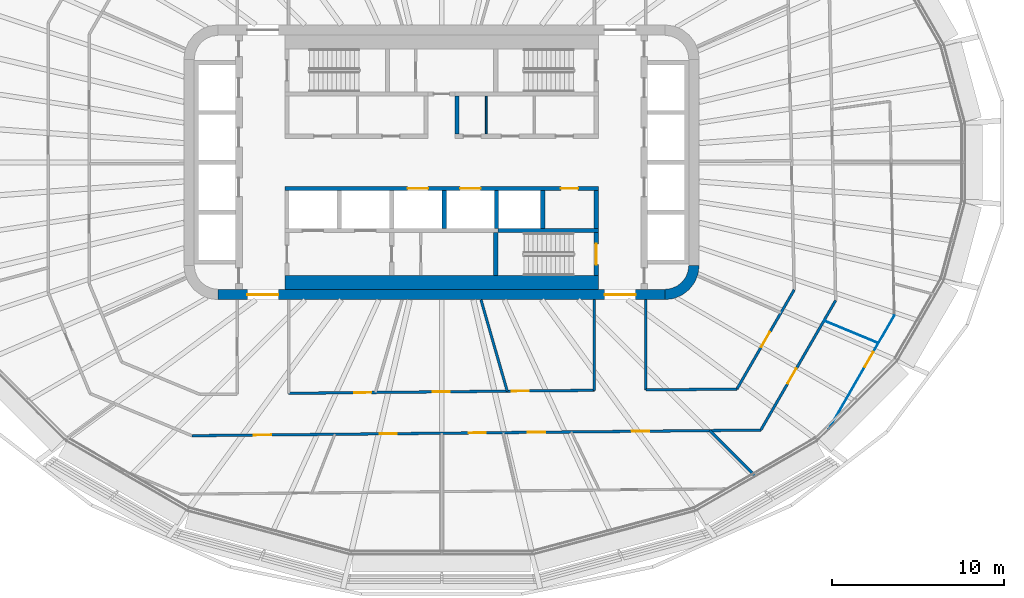
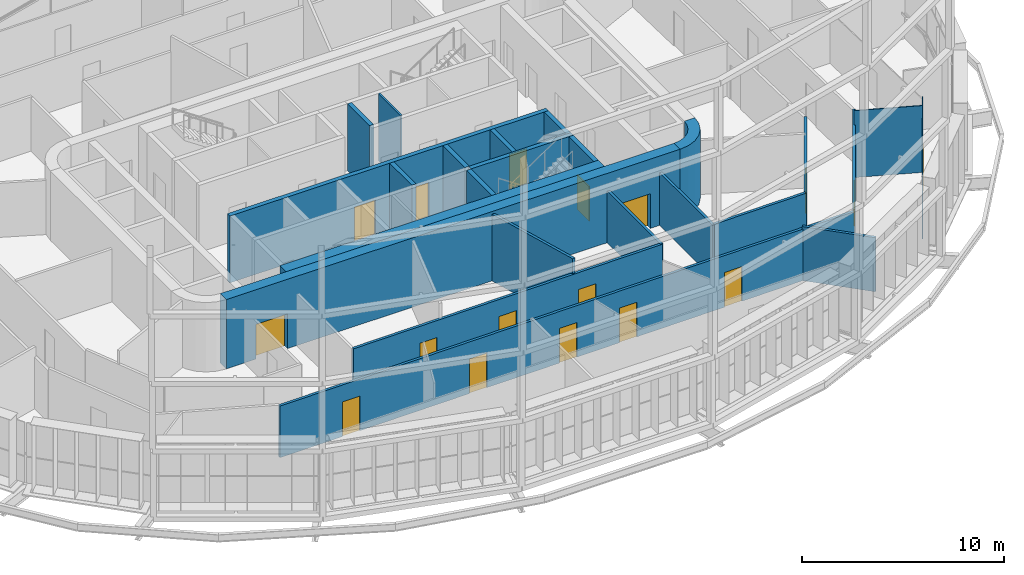
# One storey, part 13 of 23: 24 walls, 17 doors, 17 openings.
"""IFC4 building model written with IfcOpenShell, lengths in metres."""

from ifc_helpers import new_model, si_unit, direction, frame, frame_2d, origin, place, context, subcontext, project, spatial, polyline, rectangle, outline, extrude, material, layer, layer_set, type_object, element, fill, save


model = new_model("IFC4")

# Units and contexts
model_context = context("Model", 3, precision=1e-05, world=origin(), true_north=direction((0.0, 1.0)))
body_context = subcontext(model_context, "Body", "Model", "MODEL_VIEW")
ifc_project = project(units=[si_unit("LENGTHUNIT", "METRE"), si_unit("AREAUNIT", "SQUARE_METRE"), si_unit("VOLUMEUNIT", "CUBIC_METRE"), si_unit("PLANEANGLEUNIT", "RADIAN"), si_unit("MASSUNIT", "GRAM", prefix="KILO")], contexts=[model_context])

# Site, building, storey
site_placement = place(None, origin())
site = spatial("IfcSite", under=ifc_project, at=site_placement, CompositionType="ELEMENT")
building_placement = place(site_placement, origin())
building = spatial("IfcBuilding", under=site, at=building_placement, Name="Sahrelin Media Tower", CompositionType="ELEMENT")
storey_placement = place(building_placement, frame((0.0, 0.0, 54.60009765625)))
storey = spatial("IfcBuildingStorey", under=building, at=storey_placement, Name="L08", CompositionType="ELEMENT", Elevation=54.60009765625)

# Wall, openings, doors
ifc_material_1 = material(Name="Concrete C60/75", Category="concrete")
ifc_layer_1 = layer(ifc_material_1, 0.60009765625)
ifc_layer_set_1 = layer_set([ifc_layer_1], Name="Core wall 600")
wall_type_1 = type_object("IfcWallType", Name="Core wall 600", PredefinedType="SHEAR", material=ifc_layer_set_1)
wall_1_placement = place(storey_placement, frame((-13.0, -7.699951171875, 0.0), z_axis=(0.0, 0.0, 1.0), x_axis=(1.0, 0.0, 0.0)))
wall_1 = element("IfcWall", 1, at=wall_1_placement, inside=storey, type_object=wall_type_1, Name="Core wall S L08", PredefinedType="SHEAR", context=body_context, shape_type="SweptSolid", body=[
    extrude(rectangle(XDim=26.0, YDim=0.60009765625, at=frame_2d((13.0, 0.0))), origin(), (0.0, 0.0, 1.0), 4.199951171875),
])
opening_1_placement = place(wall_1_placement, frame((1.699951171875, 0.0, 0.0)))
opening_1 = element("IfcOpeningElement", 2, at=opening_1_placement, cuts=wall_1, Name="Opening L08-D21", PredefinedType="OPENING", context=body_context, shape_type="SweptSolid", body=[
    extrude(rectangle(XDim=1.800048828125, YDim=2.10009765625, at=frame_2d((0.89990234375, 1.050048828125))), frame((0.0, 0.300048828125, 0.0), z_axis=(0.0, -1.0, 0.0), x_axis=(1.0, 0.0, 0.0)), (0.0, 0.0, 1.0), 0.60009765625),
])
opening_2_placement = place(wall_1_placement, frame((22.5, 0.0, 0.0)))
opening_2 = element("IfcOpeningElement", 3, at=opening_2_placement, cuts=wall_1, Name="Opening L08-D22", PredefinedType="OPENING", context=body_context, shape_type="SweptSolid", body=[
    extrude(rectangle(XDim=1.800048828125, YDim=2.10009765625, at=frame_2d((0.89990234375, 1.050048828125))), frame((0.0, 0.300048828125, 0.0), z_axis=(0.0, -1.0, 0.0), x_axis=(1.0, 0.0, 0.0)), (0.0, 0.0, 1.0), 0.60009765625),
])
ifc_material_2 = material(Name="Steel fire door leaf", Category="steel")
door_type_1 = type_object("IfcDoorType", Name="Lobby double door 1800 x 2100 EI 60", OperationType="DOUBLE_DOOR_SINGLE_SWING", PredefinedType="DOOR", material=ifc_material_2)
door_1_placement = place(opening_1_placement, origin())
door_1 = element("IfcDoor", 4, at=door_1_placement, inside=storey, type_object=door_type_1, Name="Lobby door", OperationType="DOUBLE_DOOR_SINGLE_SWING", OverallHeight=2.10009765625, OverallWidth=1.800048828125, PredefinedType="DOOR", context=body_context, shape_type="SweptSolid", body=[
    extrude(rectangle(XDim=1.800048828125, YDim=2.10009765625, at=frame_2d((0.89990234375, 1.050048828125))), frame((0.0, 0.02490234375, 0.0), z_axis=(0.0, -1.0, 0.0), x_axis=(1.0, 0.0, 0.0)), (0.0, 0.0, 1.0), 0.050048828125),
])
fill(opening_1, door_1)
door_2_placement = place(opening_2_placement, origin())
door_2 = element("IfcDoor", 5, at=door_2_placement, inside=storey, type_object=door_type_1, Name="Lobby door", OperationType="DOUBLE_DOOR_SINGLE_SWING", OverallHeight=2.10009765625, OverallWidth=1.800048828125, PredefinedType="DOOR", context=body_context, shape_type="SweptSolid", body=[
    extrude(rectangle(XDim=1.800048828125, YDim=2.10009765625, at=frame_2d((0.89990234375, 1.050048828125))), frame((0.0, 0.02490234375, 0.0), z_axis=(0.0, -1.0, 0.0), x_axis=(1.0, 0.0, 0.0)), (0.0, 0.0, 1.0), 0.050048828125),
])
fill(opening_2, door_2)

# Walls
wall_2_placement = place(storey_placement, origin())
element("IfcWall", 6, at=wall_2_placement, inside=storey, type_object=wall_type_1, Name="Core wall corner SE L08", PredefinedType="SHEAR", context=body_context, shape_type="SweptSolid", body=[
    extrude(outline(polyline([(15.0, -6.0), (14.394775390625, -6.0), (14.347412109375, -6.361083984375), (14.2080078125, -6.697509765625), (13.986328125, -6.986328125), (13.697509765625, -7.2080078125), (13.361083984375, -7.347412109375), (13.0, -7.394775390625), (13.0, -8.0), (13.517578125, -7.931884765625), (14.0, -7.732177734375), (14.414306640625, -7.414306640625), (14.732177734375, -7.0), (14.931884765625, -6.517578125), (15.0, -6.0)])), origin(), (0.0, 0.0, 1.0), 4.199951171875),
])
ifc_material_3 = material(Name="Fire-rated gypsum board partition")
ifc_layer_2 = layer(ifc_material_3, 0.25)
ifc_layer_set_2 = layer_set([ifc_layer_2], Name="Fire-rated lobby wall 250")
wall_type_2 = type_object("IfcWallType", Name="Fire-rated lobby wall 250", PredefinedType="PARTITIONING", material=ifc_layer_set_2)
wall_3_placement = place(storey_placement, frame((0.89990234375, 1.64990234375, 0.0), z_axis=(0.0, 0.0, 1.0), x_axis=(0.0, 1.0, 0.0)))
element("IfcWall", 7, at=wall_3_placement, inside=storey, type_object=wall_type_2, Name="Core lobby wall", PredefinedType="PARTITIONING", context=body_context, shape_type="SweptSolid", body=[
    extrude(rectangle(XDim=2.2001953125, YDim=0.25, at=frame_2d((1.10009765625, 0.0))), origin(), (0.0, 0.0, 1.0), 4.0498046875),
])
ifc_layer_3 = layer(ifc_material_3, 0.10009765625)
ifc_layer_set_3 = layer_set([ifc_layer_3], Name="Fire-rated partition 100")
wall_type_3 = type_object("IfcWallType", Name="Fire-rated partition 100", PredefinedType="PARTITIONING", material=ifc_layer_set_3)
wall_4_placement = place(storey_placement, frame((2.60009765625, 1.64990234375, 0.0), z_axis=(0.0, 0.0, 1.0), x_axis=(0.0, 1.0, 0.0)))
element("IfcWall", 8, at=wall_4_placement, inside=storey, type_object=wall_type_3, Name="Core room partition", PredefinedType="PARTITIONING", context=body_context, shape_type="SweptSolid", body=[
    extrude(rectangle(XDim=2.2001953125, YDim=0.10009765625, at=frame_2d((1.10009765625, 0.0))), origin(), (0.0, 0.0, 1.0), 4.0498046875),
])
ifc_layer_4 = layer(ifc_material_3, 0.14990234375)
ifc_layer_set_4 = layer_set([ifc_layer_4], Name="Fire-rated partition 150")
wall_type_4 = type_object("IfcWallType", Name="Fire-rated partition 150", PredefinedType="PARTITIONING", material=ifc_layer_set_4)
wall_5_placement = place(storey_placement, frame((2.2958984375, -8.0, 0.0), z_axis=(0.0, 0.0, 1.0), x_axis=(0.275935525478, -0.961176147113, 0.0)))
element("IfcWall", 9, at=wall_5_placement, inside=storey, type_object=wall_type_4, Name="Wall", PredefinedType="PARTITIONING", context=body_context, shape_type="SweptSolid", body=[
    extrude(rectangle(XDim=5.54833984375, YDim=0.14990234375, at=frame_2d((2.774169921875, 0.0))), origin(), (0.0, 0.0, 1.0), 4.0498046875),
])
wall_6_placement = place(storey_placement, frame((15.616943359375, -15.616943359375, 0.0), z_axis=(0.0, 0.0, 1.0), x_axis=(0.707106781187, -0.707106781187, 0.0)))
element("IfcWall", 10, at=wall_6_placement, inside=storey, type_object=wall_type_4, Name="Wall", PredefinedType="PARTITIONING", context=body_context, shape_type="SweptSolid", body=[
    extrude(rectangle(XDim=3.759033203125, YDim=0.14990234375, at=frame_2d((1.87939453125, 0.0))), origin(), (0.0, 0.0, 1.0), 3.27587890625),
])

# Wall, openings, doors
wall_7_placement = place(storey_placement, frame((-14.533935546875, -15.916015625, 0.0), z_axis=(0.0, 0.0, 1.0), x_axis=(0.99995085722, 0.009913785652, 0.0)))
wall_7 = element("IfcWall", 11, at=wall_7_placement, inside=storey, type_object=wall_type_4, Name="Wall", PredefinedType="PARTITIONING", context=body_context, shape_type="SweptSolid", body=[
    extrude(rectangle(XDim=33.12255859375, YDim=0.14990234375, at=frame_2d((16.561279296875, 0.0))), origin(), (0.0, 0.0, 1.0), 3.126953125),
])
opening_3_placement = place(wall_7_placement, frame((3.61083984375, 0.0, 0.0)))
opening_3 = element("IfcOpeningElement", 12, at=opening_3_placement, cuts=wall_7, Name="Opening L08-D49", PredefinedType="OPENING", context=body_context, shape_type="SweptSolid", body=[
    extrude(rectangle(XDim=1.0, YDim=2.10009765625, at=frame_2d((0.5, 1.050048828125))), frame((0.0, 0.074951171875, 0.0), z_axis=(0.0, -1.0, 0.0), x_axis=(1.0, 0.0, 0.0)), (0.0, 0.0, 1.0), 0.14990234375),
])
opening_4_placement = place(wall_7_placement, frame((10.926513671875, 0.0, 0.0)))
opening_4 = element("IfcOpeningElement", 13, at=opening_4_placement, cuts=wall_7, Name="Opening L08-D50", PredefinedType="OPENING", context=body_context, shape_type="SweptSolid", body=[
    extrude(rectangle(XDim=1.0, YDim=2.10009765625, at=frame_2d((0.5, 1.050048828125))), frame((0.0, 0.074951171875, 0.0), z_axis=(0.0, -1.0, 0.0), x_axis=(1.0, 0.0, 0.0)), (0.0, 0.0, 1.0), 0.14990234375),
])
opening_5_placement = place(wall_7_placement, frame((16.1103515625, 0.0, 0.0)))
opening_5 = element("IfcOpeningElement", 14, at=opening_5_placement, cuts=wall_7, Name="Opening L08-D52", PredefinedType="OPENING", context=body_context, shape_type="SweptSolid", body=[
    extrude(rectangle(XDim=1.0, YDim=2.10009765625, at=frame_2d((0.5, 1.050048828125))), frame((0.0, 0.074951171875, 0.0), z_axis=(0.0, -1.0, 0.0), x_axis=(1.0, 0.0, 0.0)), (0.0, 0.0, 1.0), 0.14990234375),
])
opening_6_placement = place(wall_7_placement, frame((19.559814453125, 0.0, 0.0)))
opening_6 = element("IfcOpeningElement", 15, at=opening_6_placement, cuts=wall_7, Name="Opening L08-D53", PredefinedType="OPENING", context=body_context, shape_type="SweptSolid", body=[
    extrude(rectangle(XDim=1.0, YDim=2.10009765625, at=frame_2d((0.5, 1.050048828125))), frame((0.0, 0.074951171875, 0.0), z_axis=(0.0, -1.0, 0.0), x_axis=(1.0, 0.0, 0.0)), (0.0, 0.0, 1.0), 0.14990234375),
])
opening_7_placement = place(wall_7_placement, frame((25.623046875, 0.0, 0.0)))
opening_7 = element("IfcOpeningElement", 16, at=opening_7_placement, cuts=wall_7, Name="Opening L08-D54", PredefinedType="OPENING", context=body_context, shape_type="SweptSolid", body=[
    extrude(rectangle(XDim=1.0, YDim=2.10009765625, at=frame_2d((0.5, 1.050048828125))), frame((0.0, 0.074951171875, 0.0), z_axis=(0.0, -1.0, 0.0), x_axis=(1.0, 0.0, 0.0)), (0.0, 0.0, 1.0), 0.14990234375),
])
door_type_2 = type_object("IfcDoorType", Name="Fire door 1000 x 2100 EI 60", OperationType="NOTDEFINED", PredefinedType="DOOR", material=ifc_material_2)
door_3_placement = place(opening_3_placement, origin())
door_3 = element("IfcDoor", 17, at=door_3_placement, inside=storey, type_object=door_type_2, Name="Fire door", OperationType="SINGLE_SWING_LEFT", OverallHeight=2.10009765625, OverallWidth=1.0, PredefinedType="DOOR", context=body_context, shape_type="SweptSolid", body=[
    extrude(rectangle(XDim=1.0, YDim=2.10009765625, at=frame_2d((0.5, 1.050048828125))), frame((0.0, 0.02490234375, 0.0), z_axis=(0.0, -1.0, 0.0), x_axis=(1.0, 0.0, 0.0)), (0.0, 0.0, 1.0), 0.050048828125),
])
fill(opening_3, door_3)
door_4_placement = place(opening_4_placement, origin())
door_4 = element("IfcDoor", 18, at=door_4_placement, inside=storey, type_object=door_type_2, Name="Fire door", OperationType="SINGLE_SWING_RIGHT", OverallHeight=2.10009765625, OverallWidth=1.0, PredefinedType="DOOR", context=body_context, shape_type="SweptSolid", body=[
    extrude(rectangle(XDim=1.0, YDim=2.10009765625, at=frame_2d((0.5, 1.050048828125))), frame((0.0, 0.02490234375, 0.0), z_axis=(0.0, -1.0, 0.0), x_axis=(1.0, 0.0, 0.0)), (0.0, 0.0, 1.0), 0.050048828125),
])
fill(opening_4, door_4)
door_5_placement = place(opening_5_placement, origin())
door_5 = element("IfcDoor", 19, at=door_5_placement, inside=storey, type_object=door_type_2, Name="Fire door", OperationType="SINGLE_SWING_LEFT", OverallHeight=2.10009765625, OverallWidth=1.0, PredefinedType="DOOR", context=body_context, shape_type="SweptSolid", body=[
    extrude(rectangle(XDim=1.0, YDim=2.10009765625, at=frame_2d((0.5, 1.050048828125))), frame((0.0, 0.02490234375, 0.0), z_axis=(0.0, -1.0, 0.0), x_axis=(1.0, 0.0, 0.0)), (0.0, 0.0, 1.0), 0.050048828125),
])
fill(opening_5, door_5)
door_6_placement = place(opening_6_placement, origin())
door_6 = element("IfcDoor", 20, at=door_6_placement, inside=storey, type_object=door_type_2, Name="Fire door", OperationType="SINGLE_SWING_LEFT", OverallHeight=2.10009765625, OverallWidth=1.0, PredefinedType="DOOR", context=body_context, shape_type="SweptSolid", body=[
    extrude(rectangle(XDim=1.0, YDim=2.10009765625, at=frame_2d((0.5, 1.050048828125))), frame((0.0, 0.02490234375, 0.0), z_axis=(0.0, -1.0, 0.0), x_axis=(1.0, 0.0, 0.0)), (0.0, 0.0, 1.0), 0.050048828125),
])
fill(opening_6, door_6)
door_7_placement = place(opening_7_placement, origin())
door_7 = element("IfcDoor", 21, at=door_7_placement, inside=storey, type_object=door_type_2, Name="Fire door", OperationType="SINGLE_SWING_RIGHT", OverallHeight=2.10009765625, OverallWidth=1.0, PredefinedType="DOOR", context=body_context, shape_type="SweptSolid", body=[
    extrude(rectangle(XDim=1.0, YDim=2.10009765625, at=frame_2d((0.5, 1.050048828125))), frame((0.0, 0.02490234375, 0.0), z_axis=(0.0, -1.0, 0.0), x_axis=(1.0, 0.0, 0.0)), (0.0, 0.0, 1.0), 0.050048828125),
])
fill(opening_7, door_7)

wall_8_placement = place(storey_placement, frame((-8.89990234375, -13.448974609375, 0.0), z_axis=(0.0, 0.0, 1.0), x_axis=(0.999950834077, 0.009916119672, 0.0)))
wall_8 = element("IfcWall", 22, at=wall_8_placement, inside=storey, type_object=wall_type_4, Name="Wall", PredefinedType="PARTITIONING", context=body_context, shape_type="SweptSolid", body=[
    extrude(rectangle(XDim=17.80078125, YDim=0.14990234375, at=frame_2d((8.900390625, 0.0))), origin(), (0.0, 0.0, 1.0), 3.126953125),
])
opening_8_placement = place(wall_8_placement, frame((3.818115234375, 0.0, 0.0)))
opening_8 = element("IfcOpeningElement", 23, at=opening_8_placement, cuts=wall_8, Name="Opening L08-D23", PredefinedType="OPENING", context=body_context, shape_type="SweptSolid", body=[
    extrude(rectangle(XDim=1.0, YDim=2.10009765625, at=frame_2d((0.5, 1.050048828125))), frame((0.0, 0.074951171875, 0.0), z_axis=(0.0, -1.0, 0.0), x_axis=(1.0, 0.0, 0.0)), (0.0, 0.0, 1.0), 0.14990234375),
])
opening_9_placement = place(wall_8_placement, frame((8.390869140625, 0.0, 0.0)))
opening_9 = element("IfcOpeningElement", 24, at=opening_9_placement, cuts=wall_8, Name="Opening L08-D24", PredefinedType="OPENING", context=body_context, shape_type="SweptSolid", body=[
    extrude(rectangle(XDim=1.0, YDim=2.10009765625, at=frame_2d((0.5, 1.050048828125))), frame((0.0, 0.074951171875, 0.0), z_axis=(0.0, -1.0, 0.0), x_axis=(1.0, 0.0, 0.0)), (0.0, 0.0, 1.0), 0.14990234375),
])
opening_10_placement = place(wall_8_placement, frame((12.974609375, 0.0, 0.0)))
opening_10 = element("IfcOpeningElement", 25, at=opening_10_placement, cuts=wall_8, Name="Opening L08-D25", PredefinedType="OPENING", context=body_context, shape_type="SweptSolid", body=[
    extrude(rectangle(XDim=1.0, YDim=2.10009765625, at=frame_2d((0.5, 1.050048828125))), frame((0.0, 0.074951171875, 0.0), z_axis=(0.0, -1.0, 0.0), x_axis=(1.0, 0.0, 0.0)), (0.0, 0.0, 1.0), 0.14990234375),
])
door_8_placement = place(opening_8_placement, origin())
door_8 = element("IfcDoor", 26, at=door_8_placement, inside=storey, type_object=door_type_2, Name="Fire door", OperationType="SINGLE_SWING_LEFT", OverallHeight=2.10009765625, OverallWidth=1.0, PredefinedType="DOOR", context=body_context, shape_type="SweptSolid", body=[
    extrude(rectangle(XDim=1.0, YDim=2.10009765625, at=frame_2d((0.5, 1.050048828125))), frame((0.0, 0.02490234375, 0.0), z_axis=(0.0, -1.0, 0.0), x_axis=(1.0, 0.0, 0.0)), (0.0, 0.0, 1.0), 0.050048828125),
])
fill(opening_8, door_8)
door_9_placement = place(opening_9_placement, origin())
door_9 = element("IfcDoor", 27, at=door_9_placement, inside=storey, type_object=door_type_2, Name="Fire door", OperationType="SINGLE_SWING_RIGHT", OverallHeight=2.10009765625, OverallWidth=1.0, PredefinedType="DOOR", context=body_context, shape_type="SweptSolid", body=[
    extrude(rectangle(XDim=1.0, YDim=2.10009765625, at=frame_2d((0.5, 1.050048828125))), frame((0.0, 0.02490234375, 0.0), z_axis=(0.0, -1.0, 0.0), x_axis=(1.0, 0.0, 0.0)), (0.0, 0.0, 1.0), 0.050048828125),
])
fill(opening_9, door_9)
door_10_placement = place(opening_10_placement, origin())
door_10 = element("IfcDoor", 28, at=door_10_placement, inside=storey, type_object=door_type_2, Name="Fire door", OperationType="SINGLE_SWING_RIGHT", OverallHeight=2.10009765625, OverallWidth=1.0, PredefinedType="DOOR", context=body_context, shape_type="SweptSolid", body=[
    extrude(rectangle(XDim=1.0, YDim=2.10009765625, at=frame_2d((0.5, 1.050048828125))), frame((0.0, 0.02490234375, 0.0), z_axis=(0.0, -1.0, 0.0), x_axis=(1.0, 0.0, 0.0)), (0.0, 0.0, 1.0), 0.050048828125),
])
fill(opening_10, door_10)

# Wall
wall_9_placement = place(storey_placement, frame((11.89990234375, -13.2529296875, 0.0), z_axis=(0.0, 0.0, 1.0), x_axis=(0.999950853109, 0.009914200296, 0.0)))
element("IfcWall", 29, at=wall_9_placement, inside=storey, type_object=wall_type_4, Name="Wall", PredefinedType="PARTITIONING", context=body_context, shape_type="SweptSolid", body=[
    extrude(rectangle(XDim=5.29443359375, YDim=0.14990234375, at=frame_2d((2.647216796875, 0.0))), origin(), (0.0, 0.0, 1.0), 3.27587890625),
])

# Wall, opening, door
wall_10_placement = place(storey_placement, frame((18.5869140625, -15.5869140625, 0.0), z_axis=(0.0, 0.0, 1.0), x_axis=(0.500026433136, 0.866010142069, 0.0)))
wall_10 = element("IfcWall", 30, at=wall_10_placement, inside=storey, type_object=wall_type_4, Name="Wall", PredefinedType="PARTITIONING", context=body_context, shape_type="SweptSolid", body=[
    extrude(rectangle(XDim=8.71337890625, YDim=0.14990234375, at=frame_2d((4.356689453125, 0.0))), origin(), (0.0, 0.0, 1.0), 3.19482421875),
])
opening_11_placement = place(wall_10_placement, frame((3.125, 0.0, 0.0)))
opening_11 = element("IfcOpeningElement", 31, at=opening_11_placement, cuts=wall_10, Name="Opening L08-D56", PredefinedType="OPENING", context=body_context, shape_type="SweptSolid", body=[
    extrude(rectangle(XDim=1.0, YDim=2.10009765625, at=frame_2d((0.5, 1.050048828125))), frame((0.0, 0.074951171875, 0.0), z_axis=(0.0, -1.0, 0.0), x_axis=(1.0, 0.0, 0.0)), (0.0, 0.0, 1.0), 0.14990234375),
])
door_11_placement = place(opening_11_placement, origin())
door_11 = element("IfcDoor", 32, at=door_11_placement, inside=storey, type_object=door_type_2, Name="Fire door", OperationType="SINGLE_SWING_RIGHT", OverallHeight=2.10009765625, OverallWidth=1.0, PredefinedType="DOOR", context=body_context, shape_type="SweptSolid", body=[
    extrude(rectangle(XDim=1.0, YDim=2.10009765625, at=frame_2d((0.5, 1.050048828125))), frame((0.0, 0.02490234375, 0.0), z_axis=(0.0, -1.0, 0.0), x_axis=(1.0, 0.0, 0.0)), (0.0, 0.0, 1.0), 0.050048828125),
])
fill(opening_11, door_11)

wall_11_placement = place(storey_placement, frame((17.194091796875, -13.200927734375, 0.0), z_axis=(0.0, 0.0, 1.0), x_axis=(0.50001062018, 0.866019272134, 0.0)))
wall_11 = element("IfcWall", 33, at=wall_11_placement, inside=storey, type_object=wall_type_4, Name="Wall", PredefinedType="PARTITIONING", context=body_context, shape_type="SweptSolid", body=[
    extrude(rectangle(XDim=6.673583984375, YDim=0.14990234375, at=frame_2d((3.3369140625, 0.0))), origin(), (0.0, 0.0, 1.0), 3.19482421875),
])
opening_12_placement = place(wall_11_placement, frame((2.83349609375, 0.0, 0.0)))
opening_12 = element("IfcOpeningElement", 34, at=opening_12_placement, cuts=wall_11, Name="Opening L08-D26", PredefinedType="OPENING", context=body_context, shape_type="SweptSolid", body=[
    extrude(rectangle(XDim=1.0, YDim=2.10009765625, at=frame_2d((0.5, 1.050048828125))), frame((0.0, 0.074951171875, 0.0), z_axis=(0.0, -1.0, 0.0), x_axis=(1.0, 0.0, 0.0)), (0.0, 0.0, 1.0), 0.14990234375),
])
door_12_placement = place(opening_12_placement, origin())
door_12 = element("IfcDoor", 35, at=door_12_placement, inside=storey, type_object=door_type_2, Name="Fire door", OperationType="SINGLE_SWING_RIGHT", OverallHeight=2.10009765625, OverallWidth=1.0, PredefinedType="DOOR", context=body_context, shape_type="SweptSolid", body=[
    extrude(rectangle(XDim=1.0, YDim=2.10009765625, at=frame_2d((0.5, 1.050048828125))), frame((0.0, 0.02490234375, 0.0), z_axis=(0.0, -1.0, 0.0), x_axis=(1.0, 0.0, 0.0)), (0.0, 0.0, 1.0), 0.050048828125),
])
fill(opening_12, door_12)

# Walls
wall_12_placement = place(storey_placement, frame((11.89990234375, -13.2529296875, 0.0), z_axis=(0.0, 0.0, 1.0), x_axis=(0.0, 1.0, 0.0)))
element("IfcWall", 36, at=wall_12_placement, inside=storey, type_object=wall_type_4, Name="Wall", PredefinedType="PARTITIONING", context=body_context, shape_type="SweptSolid", body=[
    extrude(rectangle(XDim=5.2529296875, YDim=0.14990234375, at=frame_2d((2.62646484375, 0.0))), origin(), (0.0, 0.0, 1.0), 3.19482421875),
])
wall_13_placement = place(storey_placement, frame((8.89990234375, -13.282958984375, 0.0), z_axis=(0.0, 0.0, 1.0), x_axis=(0.0, 1.0, 0.0)))
element("IfcWall", 37, at=wall_13_placement, inside=storey, type_object=wall_type_4, Name="Wall", PredefinedType="PARTITIONING", context=body_context, shape_type="SweptSolid", body=[
    extrude(rectangle(XDim=5.282958984375, YDim=0.14990234375, at=frame_2d((2.6416015625, 0.0))), origin(), (0.0, 0.0, 1.0), 3.126953125),
])
ifc_material_4 = material(Name="Clear glass", Category="glass")
ifc_layer_5 = layer(ifc_material_4, 0.050048828125)
ifc_layer_set_5 = layer_set([ifc_layer_5], Name="Glazed partition 50")
wall_type_5 = type_object("IfcWallType", Name="Glazed partition 50", PredefinedType="PARTITIONING", material=ifc_layer_set_5)
wall_14_placement = place(storey_placement, frame((22.262939453125, -9.220947265625, 0.0), z_axis=(0.0, 0.0, 1.0), x_axis=(0.923799852488, -0.382875740342, 0.0)))
element("IfcWall", 38, at=wall_14_placement, inside=storey, type_object=wall_type_5, Name="Wall", PredefinedType="PARTITIONING", context=body_context, shape_type="SweptSolid", body=[
    extrude(rectangle(XDim=3.42919921875, YDim=0.050048828125, at=frame_2d((1.714599609375, 0.0))), origin(), (0.0, 0.0, 1.0), 4.0498046875),
])

# Wall, opening, door
wall_15_placement = place(storey_placement, frame((22.541015625, -15.5390625, 0.0), z_axis=(0.0, 0.0, 1.0), x_axis=(0.499927963764, 0.86606698993, 0.0)))
wall_15 = element("IfcWall", 39, at=wall_15_placement, inside=storey, type_object=wall_type_5, Name="Wall", PredefinedType="PARTITIONING", context=body_context, shape_type="SweptSolid", body=[
    extrude(rectangle(XDim=7.644287109375, YDim=0.050048828125, at=frame_2d((3.822265625, 0.0))), origin(), (0.0, 0.0, 1.0), 3.27587890625),
])
opening_13_placement = place(wall_15_placement, frame((4.182861328125, 0.0, 0.0)))
opening_13 = element("IfcOpeningElement", 40, at=opening_13_placement, cuts=wall_15, Name="Opening L08-D58", PredefinedType="OPENING", context=body_context, shape_type="SweptSolid", body=[
    extrude(rectangle(XDim=1.0, YDim=2.10009765625, at=frame_2d((0.5, 1.050048828125))), frame((0.0, 0.02490234375, 0.0), z_axis=(0.0, -1.0, 0.0), x_axis=(1.0, 0.0, 0.0)), (0.0, 0.0, 1.0), 0.050048828125),
])
door_type_3 = type_object("IfcDoorType", Name="Glazed door 1000 x 2100", OperationType="NOTDEFINED", PredefinedType="DOOR", material=ifc_material_4)
door_13_placement = place(opening_13_placement, origin())
door_13 = element("IfcDoor", 41, at=door_13_placement, inside=storey, type_object=door_type_3, Name="Glazed door", OperationType="SINGLE_SWING_RIGHT", OverallHeight=2.10009765625, OverallWidth=1.0, PredefinedType="DOOR", context=body_context, shape_type="SweptSolid", body=[
    extrude(rectangle(XDim=1.0, YDim=2.10009765625, at=frame_2d((0.5, 1.050048828125))), frame((0.0, 0.02490234375, 0.0), z_axis=(0.0, -1.0, 0.0), x_axis=(1.0, 0.0, 0.0)), (0.0, 0.0, 1.0), 0.049560546875),
])
fill(opening_13, door_13)

# Wall, openings, doors
ifc_layer_6 = layer(ifc_material_1, 0.25)
ifc_layer_set_6 = layer_set([ifc_layer_6], Name="Lift shaft wall 250")
wall_type_6 = type_object("IfcWallType", Name="Lift shaft wall 250", PredefinedType="SOLIDWALL", material=ifc_layer_set_6)
wall_16_placement = place(storey_placement, frame((-9.125, -1.52490234375, 0.0), z_axis=(0.0, 0.0, 1.0), x_axis=(1.0, 0.0, 0.0)))
wall_16 = element("IfcWall", 42, at=wall_16_placement, inside=storey, type_object=wall_type_6, Name="Lift shaft wall", PredefinedType="SOLIDWALL", context=body_context, shape_type="SweptSolid", body=[
    extrude(rectangle(XDim=18.25, YDim=0.25, at=frame_2d((9.125, 0.0))), origin(), (0.0, 0.0, 1.0), 4.0498046875),
])
opening_14_placement = place(wall_16_placement, frame((7.14990234375, 0.0, 0.0)))
opening_14 = element("IfcOpeningElement", 43, at=opening_14_placement, cuts=wall_16, Name="Opening L08-LD-SV1", PredefinedType="OPENING", context=body_context, shape_type="SweptSolid", body=[
    extrude(rectangle(XDim=1.199951171875, YDim=2.10009765625, at=frame_2d((0.60009765625, 1.050048828125))), frame((0.0, 0.125, 0.0), z_axis=(0.0, -1.0, 0.0), x_axis=(1.0, 0.0, 0.0)), (0.0, 0.0, 1.0), 0.25),
])
opening_15_placement = place(wall_16_placement, frame((10.199951171875, 0.0, 0.0)))
opening_15 = element("IfcOpeningElement", 44, at=opening_15_placement, cuts=wall_16, Name="Opening L08-LD-SV2", PredefinedType="OPENING", context=body_context, shape_type="SweptSolid", body=[
    extrude(rectangle(XDim=1.199951171875, YDim=2.10009765625, at=frame_2d((0.60009765625, 1.050048828125))), frame((0.0, 0.125, 0.0), z_axis=(0.0, -1.0, 0.0), x_axis=(1.0, 0.0, 0.0)), (0.0, 0.0, 1.0), 0.25),
])
opening_16_placement = place(wall_16_placement, frame((16.074951171875, 0.0, 0.0)))
opening_16 = element("IfcOpeningElement", 45, at=opening_16_placement, cuts=wall_16, Name="Opening L08-D14", PredefinedType="OPENING", context=body_context, shape_type="SweptSolid", body=[
    extrude(rectangle(XDim=1.0, YDim=2.10009765625, at=frame_2d((0.5, 1.050048828125))), frame((0.0, 0.125, 0.0), z_axis=(0.0, -1.0, 0.0), x_axis=(1.0, 0.0, 0.0)), (0.0, 0.0, 1.0), 0.25),
])
door_14_placement = place(opening_16_placement, origin())
door_14 = element("IfcDoor", 46, at=door_14_placement, inside=storey, type_object=door_type_2, Name="Core room door", OperationType="SINGLE_SWING_RIGHT", OverallHeight=2.10009765625, OverallWidth=1.0, PredefinedType="DOOR", context=body_context, shape_type="SweptSolid", body=[
    extrude(rectangle(XDim=1.0, YDim=2.10009765625, at=frame_2d((0.5, 1.050048828125))), frame((0.0, 0.02490234375, 0.0), z_axis=(0.0, -1.0, 0.0), x_axis=(1.0, 0.0, 0.0)), (0.0, 0.0, 1.0), 0.050048828125),
])
fill(opening_16, door_14)
ifc_material_5 = material(Name="Stainless steel", Category="steel")
door_type_4 = type_object("IfcDoorType", Name="Lift landing door 1200 x 2100 EI 120", OperationType="DOUBLE_DOOR_SLIDING", PredefinedType="DOOR", material=ifc_material_5)
door_15_placement = place(opening_14_placement, origin())
door_15 = element("IfcDoor", 47, at=door_15_placement, inside=storey, type_object=door_type_4, Name="Lift landing door SV1", OperationType="DOUBLE_DOOR_SLIDING", OverallHeight=2.10009765625, OverallWidth=1.199951171875, PredefinedType="DOOR", context=body_context, shape_type="SweptSolid", body=[
    extrude(rectangle(XDim=1.199951171875, YDim=2.10009765625, at=frame_2d((0.60009765625, 1.050048828125))), frame((0.0, 0.02490234375, 0.0), z_axis=(0.0, -1.0, 0.0), x_axis=(1.0, 0.0, 0.0)), (0.0, 0.0, 1.0), 0.050048828125),
])
fill(opening_14, door_15)
door_16_placement = place(opening_15_placement, origin())
door_16 = element("IfcDoor", 48, at=door_16_placement, inside=storey, type_object=door_type_4, Name="Lift landing door SV2", OperationType="DOUBLE_DOOR_SLIDING", OverallHeight=2.10009765625, OverallWidth=1.199951171875, PredefinedType="DOOR", context=body_context, shape_type="SweptSolid", body=[
    extrude(rectangle(XDim=1.199951171875, YDim=2.10009765625, at=frame_2d((0.60009765625, 1.050048828125))), frame((0.0, 0.02490234375, 0.0), z_axis=(0.0, -1.0, 0.0), x_axis=(1.0, 0.0, 0.0)), (0.0, 0.0, 1.0), 0.050048828125),
])
fill(opening_15, door_16)

# Walls
wall_17_placement = place(storey_placement, frame((3.27490234375, -3.97509765625, 0.0), z_axis=(0.0, 0.0, 1.0), x_axis=(1.0, 0.0, 0.0)))
element("IfcWall", 49, at=wall_17_placement, inside=storey, type_object=wall_type_6, Name="Lift shaft wall", PredefinedType="SOLIDWALL", context=body_context, shape_type="SweptSolid", body=[
    extrude(rectangle(XDim=5.85009765625, YDim=0.25, at=frame_2d((2.925048828125, 0.0))), origin(), (0.0, 0.0, 1.0), 4.0498046875),
])
for number, where, z_axis, x_axis, name in (
    (50, (0.14990234375, -3.85009765625, 0.0), (0.0, 0.0, 1.0), (0.0, 1.0, 0.0), "Lift shaft wall"),
    (51, (3.199951171875, -3.85009765625, 0.0), (0.0, 0.0, 1.0), (0.0, 1.0, 0.0), "Lift shaft wall"),
    (52, (5.89990234375, -3.85009765625, 0.0), (0.0, 0.0, 1.0), (0.0, 1.0, 0.0), "Lift shaft wall"),
    (53, (9.0, -3.85009765625, 0.0), (0.0, 0.0, 1.0), (0.0, 1.0, 0.0), "Lift shaft wall"),
):
    element("IfcWall", number, at=place(storey_placement, frame(where, z_axis=z_axis, x_axis=x_axis)), inside=storey, type_object=wall_type_6, Name=name, PredefinedType="SOLIDWALL", context=body_context, shape_type="SweptSolid", body=[
        extrude(rectangle(XDim=2.2001953125, YDim=0.25, at=frame_2d((1.10009765625, 0.0))), origin(), (0.0, 0.0, 1.0), 4.0498046875),
    ])

# Wall, opening, door
ifc_layer_7 = layer(ifc_material_1, 0.25)
ifc_layer_set_7 = layer_set([ifc_layer_7], Name="Stair enclosure wall 250")
wall_type_7 = type_object("IfcWallType", Name="Stair enclosure wall 250", PredefinedType="SOLIDWALL", material=ifc_layer_set_7)
wall_18_placement = place(storey_placement, frame((9.0, -6.60009765625, 0.0), z_axis=(0.0, 0.0, 1.0), x_axis=(0.0, 1.0, 0.0)))
wall_18 = element("IfcWall", 54, at=wall_18_placement, inside=storey, type_object=wall_type_7, Name="Stair enclosure wall", PredefinedType="SOLIDWALL", context=body_context, shape_type="SweptSolid", body=[
    extrude(rectangle(XDim=2.5, YDim=0.25, at=frame_2d((1.25, 0.0))), origin(), (0.0, 0.0, 1.0), 4.0498046875),
])
opening_17_placement = place(wall_18_placement, frame((0.64990234375, 0.0, 0.0)))
opening_17 = element("IfcOpeningElement", 55, at=opening_17_placement, cuts=wall_18, Name="Opening L08-D03", PredefinedType="OPENING", context=body_context, shape_type="SweptSolid", body=[
    extrude(rectangle(XDim=1.199951171875, YDim=2.10009765625, at=frame_2d((0.60009765625, 1.050048828125))), frame((0.0, 0.125, 0.0), z_axis=(0.0, -1.0, 0.0), x_axis=(1.0, 0.0, 0.0)), (0.0, 0.0, 1.0), 0.25),
])
door_type_5 = type_object("IfcDoorType", Name="Stair door 1200 x 2100 EI 120", OperationType="NOTDEFINED", PredefinedType="DOOR", material=ifc_material_2)
door_17_placement = place(opening_17_placement, origin())
door_17 = element("IfcDoor", 56, at=door_17_placement, inside=storey, type_object=door_type_5, Name="Stair door ST2", OperationType="SINGLE_SWING_LEFT", OverallHeight=2.10009765625, OverallWidth=1.199951171875, PredefinedType="DOOR", context=body_context, shape_type="SweptSolid", body=[
    extrude(rectangle(XDim=1.199951171875, YDim=2.10009765625, at=frame_2d((0.60009765625, 1.050048828125))), frame((0.0, 0.02490234375, 0.0), z_axis=(0.0, -1.0, 0.0), x_axis=(1.0, 0.0, 0.0)), (0.0, 0.0, 1.0), 0.050048828125),
])
fill(opening_17, door_17)

# Walls
wall_19_placement = place(storey_placement, frame((3.14990234375, -6.60009765625, 0.0), z_axis=(0.0, 0.0, 1.0), x_axis=(0.0, 1.0, 0.0)))
element("IfcWall", 57, at=wall_19_placement, inside=storey, type_object=wall_type_7, Name="Stair enclosure wall", PredefinedType="SOLIDWALL", context=body_context, shape_type="SweptSolid", body=[
    extrude(rectangle(XDim=2.5, YDim=0.25, at=frame_2d((1.25, 0.0))), origin(), (0.0, 0.0, 1.0), 4.0498046875),
])
ifc_layer_8 = layer(ifc_material_1, 0.800048828125)
ifc_layer_set_8 = layer_set([ifc_layer_8], Name="Stair enclosure wall 800")
wall_type_8 = type_object("IfcWallType", Name="Stair enclosure wall 800", PredefinedType="SOLIDWALL", material=ifc_layer_set_8)
wall_20_placement = place(storey_placement, frame((-9.125, -7.0, 0.0), z_axis=(0.0, 0.0, 1.0), x_axis=(1.0, 0.0, 0.0)))
element("IfcWall", 58, at=wall_20_placement, inside=storey, type_object=wall_type_8, Name="Stair enclosure wall", PredefinedType="SOLIDWALL", context=body_context, shape_type="SweptSolid", body=[
    extrude(rectangle(XDim=18.25, YDim=0.800048828125, at=frame_2d((9.125, 0.0))), origin(), (0.0, 0.0, 1.0), 4.0498046875),
])

save(model, "model.ifc")
